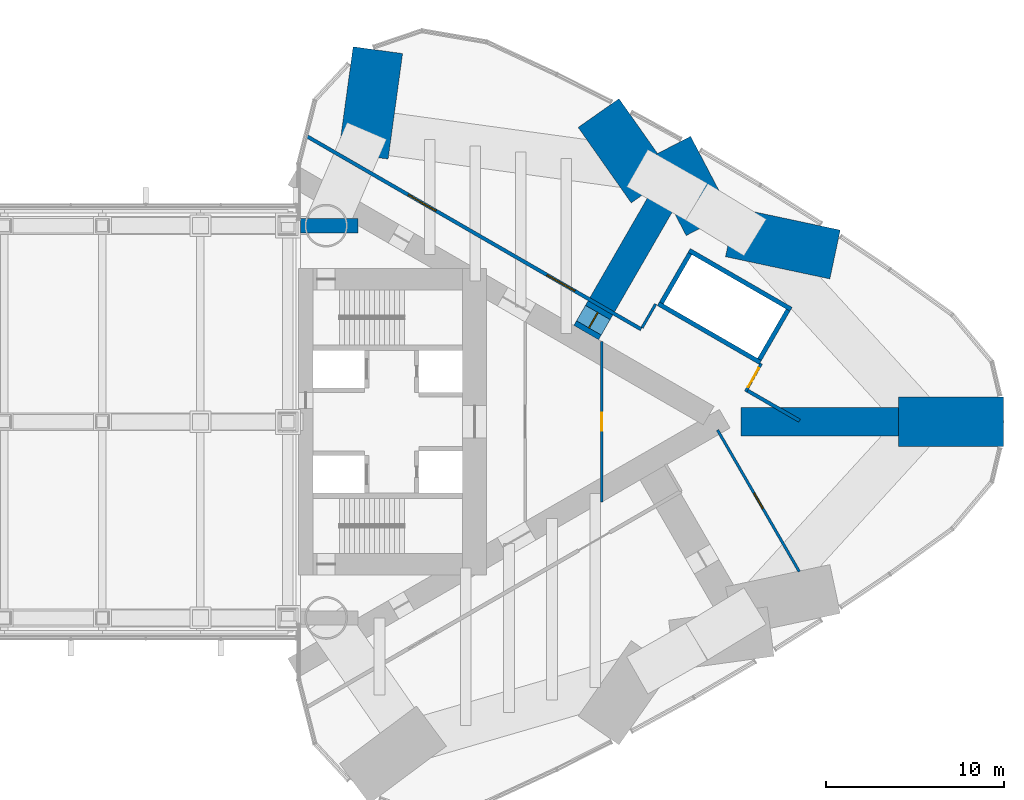
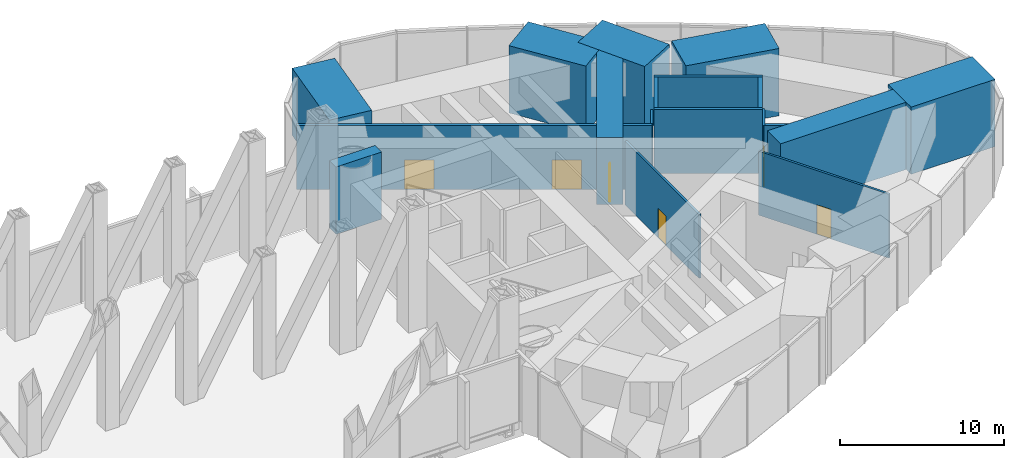
# One storey, part 19 of 21: 18 walls, 6 doors, 6 openings.
"""IFC4 building model written with IfcOpenShell, lengths in metres."""

from ifc_helpers import new_model, si_unit, direction, frame, frame_2d, origin, place, context, subcontext, project, spatial, rectangle, extrude, material, layer, layer_set, type_object, element, fill, save


model = new_model("IFC4")

# Units and contexts
model_context = context("Model", 3, precision=1e-05, world=origin(), true_north=direction((0.0, 1.0)))
body_context = subcontext(model_context, "Body", "Model", "MODEL_VIEW")
ifc_project = project(units=[si_unit("LENGTHUNIT", "METRE"), si_unit("AREAUNIT", "SQUARE_METRE"), si_unit("VOLUMEUNIT", "CUBIC_METRE"), si_unit("PLANEANGLEUNIT", "RADIAN"), si_unit("MASSUNIT", "GRAM", prefix="KILO")], contexts=[model_context])

# Site, building, storey
site_placement = place(None, origin())
site = spatial("IfcSite", under=ifc_project, at=site_placement, CompositionType="ELEMENT")
building_placement = place(site_placement, origin())
building = spatial("IfcBuilding", under=site, at=building_placement, Name="Lancet Gate Hotel", CompositionType="ELEMENT")
storey_placement = place(building_placement, frame((0.0, 0.0, 205.300048828125)))
storey = spatial("IfcBuildingStorey", under=building, at=storey_placement, Name="L55", CompositionType="ELEMENT", Elevation=205.300048828125)

# Wall, openings, doors
ifc_material_1 = material(Name="Gypsum board partition")
ifc_layer_1 = layer(ifc_material_1, 0.199951171875)
ifc_layer_set_1 = layer_set([ifc_layer_1], Name="Corridor wall 200")
wall_type_1 = type_object("IfcWallType", Name="Corridor wall 200", PredefinedType="PARTITIONING", material=ifc_layer_set_1)
wall_1_placement = place(storey_placement, frame((27.95947265625, 16.017333984375, 0.0), z_axis=(0.0, 0.0, 1.0), x_axis=(0.866027146794, -0.499996981007, 0.0)))
wall_1 = element("IfcWall", 1, at=wall_1_placement, inside=storey, type_object=wall_type_1, Name="T2 corridor wall 200 L55", PredefinedType="PARTITIONING", context=body_context, shape_type="SweptSolid", body=[
    extrude(rectangle(XDim=21.657470703125, YDim=0.199951171875, at=frame_2d((10.82861328125, 0.0))), origin(), (0.0, 0.0, 1.0), 4.75),
])
opening_1_placement = place(wall_1_placement, frame((15.570068359375, 0.0, 0.0)))
opening_1 = element("IfcOpeningElement", 2, at=opening_1_placement, cuts=wall_1, Name="Opening T2-L55-TA07", PredefinedType="OPENING", context=body_context, shape_type="SweptSolid", body=[
    extrude(rectangle(XDim=1.800048828125, YDim=2.199951171875, at=frame_2d((0.89990234375, 1.10009765625))), frame((0.0, 0.10986328125, 0.0), z_axis=(0.0, -1.0, 0.0), x_axis=(1.0, 0.0, 0.0)), (0.0, 0.0, 1.0), 0.219970703125),
])
opening_2_placement = place(wall_1_placement, frame((6.579345703125, 0.0, 0.0)))
opening_2 = element("IfcOpeningElement", 3, at=opening_2_placement, cuts=wall_1, Name="Opening T2-L55-TA08", PredefinedType="OPENING", context=body_context, shape_type="SweptSolid", body=[
    extrude(rectangle(XDim=1.800048828125, YDim=2.199951171875, at=frame_2d((0.89990234375, 1.10009765625))), frame((0.0, 0.10986328125, 0.0), z_axis=(0.0, -1.0, 0.0), x_axis=(1.0, 0.0, 0.0)), (0.0, 0.0, 1.0), 0.219970703125),
])
ifc_material_2 = material(Name="Timber door set", Category="wood")
door_type_1 = type_object("IfcDoorType", Name="Double door 1800", OperationType="DOUBLE_DOOR_SINGLE_SWING", PredefinedType="DOOR", material=ifc_material_2)
door_1_placement = place(opening_1_placement, origin())
door_1 = element("IfcDoor", 4, at=door_1_placement, inside=storey, type_object=door_type_1, Name="T2-L55-TA07", OperationType="DOUBLE_DOOR_SINGLE_SWING", OverallHeight=2.199951171875, OverallWidth=1.800048828125, PredefinedType="DOOR", context=body_context, shape_type="SweptSolid", body=[
    extrude(rectangle(XDim=1.800048828125, YDim=2.199951171875, at=frame_2d((0.89990234375, 1.10009765625))), frame((0.0, 0.02490234375, 0.0), z_axis=(0.0, -1.0, 0.0), x_axis=(1.0, 0.0, 0.0)), (0.0, 0.0, 1.0), 0.050048828125),
])
fill(opening_1, door_1)
door_2_placement = place(opening_2_placement, origin())
door_2 = element("IfcDoor", 5, at=door_2_placement, inside=storey, type_object=door_type_1, Name="T2-L55-TA08", OperationType="DOUBLE_DOOR_SINGLE_SWING", OverallHeight=2.199951171875, OverallWidth=1.800048828125, PredefinedType="DOOR", context=body_context, shape_type="SweptSolid", body=[
    extrude(rectangle(XDim=1.800048828125, YDim=2.199951171875, at=frame_2d((0.89990234375, 1.10009765625))), frame((0.0, 0.02490234375, 0.0), z_axis=(0.0, -1.0, 0.0), x_axis=(1.0, 0.0, 0.0)), (0.0, 0.0, 1.0), 0.050048828125),
])
fill(opening_2, door_2)

# Walls
wall_2_placement = place(storey_placement, frame((52.63916015625, 1.7685546875, 0.0), z_axis=(0.0, 0.0, 1.0), x_axis=(0.866027340901, -0.4999966448, 0.0)))
element("IfcWall", 6, at=wall_2_placement, inside=storey, type_object=wall_type_1, Name="T2 corridor wall 200 L55", PredefinedType="PARTITIONING", context=body_context, shape_type="SweptSolid", body=[
    extrude(rectangle(XDim=3.4169921875, YDim=0.199951171875, at=frame_2d((1.70849609375, 0.0))), origin(), (0.0, 0.0, 1.0), 4.75),
])
ifc_material_3 = material(Name="Gypsum board partition")
ifc_layer_2 = layer(ifc_material_3, 0.25)
ifc_layer_set_2 = layer_set([ifc_layer_2], Name="Lift shaft partition 250")
wall_type_2 = type_object("IfcWallType", Name="Lift shaft partition 250", PredefinedType="PARTITIONING", material=ifc_layer_set_2)
for number, where, z_axis, x_axis, name in (
    (7, (47.681396484375, 6.622314453125, 0.0), (0.0, 0.0, 1.0), (0.86603344179, -0.499986077507, 0.0), "T2 lift shaft wall HL L55"),
    (8, (49.406494140625, 9.61083984375, 0.0), (0.0, 0.0, 1.0), (0.86603344179, -0.499986077507, 0.0), "T2 lift shaft wall HL L55"),
):
    element("IfcWall", number, at=place(storey_placement, frame(where, z_axis=z_axis, x_axis=x_axis)), inside=storey, type_object=wall_type_2, Name=name, PredefinedType="PARTITIONING", context=body_context, shape_type="SweptSolid", body=[
        extrude(rectangle(XDim=6.600341796875, YDim=0.25, at=frame_2d((3.30029296875, 0.0))), origin(), (0.0, 0.0, 1.0), 4.75),
    ])
wall_3_placement = place(storey_placement, frame((47.852294921875, 6.66796875, 0.0), z_axis=(0.0, 0.0, 1.0), x_axis=(0.499929347863, 0.866066190972, 0.0)))
element("IfcWall", 9, at=wall_3_placement, inside=storey, type_object=wall_type_2, Name="T2 lift shaft wall HL L55", PredefinedType="PARTITIONING", context=body_context, shape_type="SweptSolid", body=[
    extrude(rectangle(XDim=3.20068359375, YDim=0.25, at=frame_2d((1.600341796875, 0.0))), origin(), (0.0, 0.0, 1.0), 4.75),
])
wall_4_placement = place(storey_placement, frame((53.351806640625, 3.492919921875, 0.0), z_axis=(0.0, 0.0, 1.0), x_axis=(0.499872130319, 0.866099216793, 0.0)))
element("IfcWall", 10, at=wall_4_placement, inside=storey, type_object=wall_type_2, Name="T2 lift shaft wall HL L55", PredefinedType="PARTITIONING", context=body_context, shape_type="SweptSolid", body=[
    extrude(rectangle(XDim=3.200439453125, YDim=0.25, at=frame_2d((1.60009765625, 0.0))), origin(), (0.0, 0.0, 1.0), 4.75),
])
ifc_material_4 = material(Name="Concrete C80/95", Category="concrete")
ifc_layer_3 = layer(ifc_material_4, 1.60009765625)
ifc_layer_set_3 = layer_set([ifc_layer_3], Name="Outrigger wall 1600")
wall_type_3 = type_object("IfcWallType", Name="Outrigger wall 1600", PredefinedType="SHEAR", material=ifc_layer_set_3)
wall_5_placement = place(storey_placement, frame((52.30224609375, 0.0, 0.0), z_axis=(0.0, 0.0, 1.0), x_axis=(1.0, 0.0, 0.0)))
element("IfcWall", 11, at=wall_5_placement, inside=storey, type_object=wall_type_3, Name="T2 outrigger wall CA L55", PredefinedType="SHEAR", context=body_context, shape_type="SweptSolid", body=[
    extrude(rectangle(XDim=10.2392578125, YDim=1.60009765625, at=frame_2d((5.11962890625, 0.0))), origin(), (0.0, 0.0, 1.0), 5.0),
])

# Wall, opening, door
wall_6_placement = place(storey_placement, frame((43.63427734375, 5.00439453125, 0.0), z_axis=(0.0, 0.0, 1.0), x_axis=(0.499995493849, 0.866028005396, 0.0)))
wall_6 = element("IfcWall", 12, at=wall_6_placement, inside=storey, type_object=wall_type_3, Name="T2 outrigger wall ON2 L55", PredefinedType="SHEAR", context=body_context, shape_type="SweptSolid", body=[
    extrude(rectangle(XDim=10.5263671875, YDim=1.60009765625, at=frame_2d((5.26318359375, 0.0))), origin(), (0.0, 0.0, 1.0), 5.0),
])
opening_3_placement = place(wall_6_placement, frame((0.300048828125, 0.0, 0.0)))
opening_3 = element("IfcOpeningElement", 13, at=opening_3_placement, cuts=wall_6, Name="Opening T2-L55-LNO", PredefinedType="OPENING", context=body_context, shape_type="SweptSolid", body=[
    extrude(rectangle(XDim=1.0, YDim=2.199951171875, at=frame_2d((0.5, 1.10009765625))), frame((0.0, 0.81005859375, 0.0), z_axis=(0.0, -1.0, 0.0), x_axis=(1.0, 0.0, 0.0)), (0.0, 0.0, 1.0), 1.6201171875),
])
ifc_material_5 = material(Name="Timber door set", Category="wood")
door_type_2 = type_object("IfcDoorType", Name="Corridor door 1000", OperationType="SINGLE_SWING_LEFT", PredefinedType="DOOR", material=ifc_material_5)
door_3_placement = place(opening_3_placement, origin())
door_3 = element("IfcDoor", 14, at=door_3_placement, inside=storey, type_object=door_type_2, Name="T2-L55-LNO", OperationType="SINGLE_SWING_LEFT", OverallHeight=2.199951171875, OverallWidth=1.0, PredefinedType="DOOR", context=body_context, shape_type="SweptSolid", body=[
    extrude(rectangle(XDim=1.0, YDim=2.199951171875, at=frame_2d((0.5, 1.10009765625))), frame((0.0, 0.02490234375, 0.0), z_axis=(0.0, -1.0, 0.0), x_axis=(1.0, 0.0, 0.0)), (0.0, 0.0, 1.0), 0.050048828125),
])
fill(opening_3, door_3)

# Wall
ifc_material_6 = material(Name="Concrete C70/85", Category="concrete")
ifc_layer_4 = layer(ifc_material_6, 0.800048828125)
ifc_layer_set_4 = layer_set([ifc_layer_4], Name="Outrigger wall 800, truss lines")
wall_type_4 = type_object("IfcWallType", Name="Outrigger wall 800, truss lines", PredefinedType="SHEAR", material=ifc_layer_set_4)
wall_7_placement = place(storey_placement, frame((27.6201171875, 11.0, 0.0), z_axis=(0.0, 0.0, 1.0), x_axis=(1.0, 0.0, 0.0)))
element("IfcWall", 15, at=wall_7_placement, inside=storey, type_object=wall_type_4, Name="T2 transfer wall TN L55", PredefinedType="SHEAR", context=body_context, shape_type="SweptSolid", body=[
    extrude(rectangle(XDim=3.20947265625, YDim=0.800048828125, at=frame_2d((1.604736328125, 0.0))), origin(), (0.0, 0.0, 1.0), 5.0),
])

# Wall, opening, door
ifc_material_7 = material(Name="Gypsum board partition")
ifc_layer_5 = layer(ifc_material_7, 0.14990234375)
ifc_layer_set_5 = layer_set([ifc_layer_5], Name="Party wall 150")
wall_type_5 = type_object("IfcWallType", Name="Party wall 150", PredefinedType="PARTITIONING", material=ifc_layer_set_5)
wall_8_placement = place(storey_placement, frame((55.58349609375, -8.4013671875, 0.0), z_axis=(0.0, 0.0, 1.0), x_axis=(-0.499997575924, 0.866026803321, 0.0)))
wall_8 = element("IfcWall", 16, at=wall_8_placement, inside=storey, type_object=wall_type_5, Name="T2 party wall 150 L55", PredefinedType="PARTITIONING", context=body_context, shape_type="SweptSolid", body=[
    extrude(rectangle(XDim=9.16650390625, YDim=0.14990234375, at=frame_2d((4.583251953125, 0.0))), origin(), (0.0, 0.0, 1.0), 4.75),
])
opening_4_placement = place(wall_8_placement, frame((4.083251953125, 0.0, 0.0)))
opening_4 = element("IfcOpeningElement", 17, at=opening_4_placement, cuts=wall_8, Name="Opening T2-L55-TA04", PredefinedType="OPENING", context=body_context, shape_type="SweptSolid", body=[
    extrude(rectangle(XDim=1.0, YDim=2.199951171875, at=frame_2d((0.5, 1.10009765625))), frame((0.0, 0.0849609375, 0.0), z_axis=(0.0, -1.0, 0.0), x_axis=(1.0, 0.0, 0.0)), (0.0, 0.0, 1.0), 0.169921875),
])
ifc_material_8 = material(Name="Timber door set", Category="wood")
door_type_3 = type_object("IfcDoorType", Name="Service door 1000", OperationType="SINGLE_SWING_LEFT", PredefinedType="DOOR", material=ifc_material_8)
door_4_placement = place(opening_4_placement, origin())
door_4 = element("IfcDoor", 18, at=door_4_placement, inside=storey, type_object=door_type_3, Name="T2-L55-TA04", OperationType="SINGLE_SWING_LEFT", OverallHeight=2.199951171875, OverallWidth=1.0, PredefinedType="DOOR", context=body_context, shape_type="SweptSolid", body=[
    extrude(rectangle(XDim=1.0, YDim=2.199951171875, at=frame_2d((0.5, 1.10009765625))), frame((0.0, 0.02490234375, 0.0), z_axis=(0.0, -1.0, 0.0), x_axis=(1.0, 0.0, 0.0)), (0.0, 0.0, 1.0), 0.050048828125),
])
fill(opening_4, door_4)

# Walls
ifc_material_9 = material(Name="Concrete C80/95", Category="concrete")
ifc_layer_6 = layer(ifc_material_9, 2.800048828125)
ifc_layer_set_6 = layer_set([ifc_layer_6], Name="Radial transfer wall 2800")
wall_type_6 = type_object("IfcWallType", Name="Radial transfer wall 2800", PredefinedType="SHEAR", material=ifc_layer_set_6)
wall_9_placement = place(storey_placement, frame((67.03955078125, 0.0, 0.0), z_axis=(0.0, 0.0, 1.0), x_axis=(-1.0, 0.0, 0.0)))
element("IfcWall", 19, at=wall_9_placement, inside=storey, type_object=wall_type_6, Name="T2 radial transfer wall CA L55", PredefinedType="SHEAR", context=body_context, shape_type="SweptSolid", body=[
    extrude(rectangle(XDim=5.898193359375, YDim=2.800048828125, at=frame_2d((2.94921875, 0.0))), origin(), (0.0, 0.0, 1.0), 5.0),
])
wall_10_placement = place(storey_placement, frame((31.949951171875, 20.8427734375, 0.0), z_axis=(0.0, 0.0, 1.0), x_axis=(-0.135869920729, -0.990726685136, 0.0)))
element("IfcWall", 20, at=wall_10_placement, inside=storey, type_object=wall_type_6, Name="T2 radial transfer wall CN L55", PredefinedType="SHEAR", context=body_context, shape_type="SweptSolid", body=[
    extrude(rectangle(XDim=5.974609375, YDim=2.800048828125, at=frame_2d((2.9873046875, 0.0))), origin(), (0.0, 0.0, 1.0), 5.0),
])
wall_11_placement = place(storey_placement, frame((57.59033203125, 9.38134765625, 0.0), z_axis=(0.0, 0.0, 1.0), x_axis=(-0.978147441256, 0.207912441101, 0.0)))
element("IfcWall", 21, at=wall_11_placement, inside=storey, type_object=wall_type_6, Name="T2 radial transfer wall ON1 L55", PredefinedType="SHEAR", context=body_context, shape_type="SweptSolid", body=[
    extrude(rectangle(XDim=5.98291015625, YDim=2.800048828125, at=frame_2d((2.991455078125, 0.0))), origin(), (0.0, 0.0, 1.0), 5.0),
])
wall_12_placement = place(storey_placement, frame((48.248046875, 15.361083984375, 0.0), z_axis=(0.0, 0.0, 1.0), x_axis=(0.463812018538, -0.885933638293, 0.0)))
element("IfcWall", 22, at=wall_12_placement, inside=storey, type_object=wall_type_6, Name="T2 radial transfer wall ON2 L55", PredefinedType="SHEAR", context=body_context, shape_type="SweptSolid", body=[
    extrude(rectangle(XDim=4.819580078125, YDim=2.800048828125, at=frame_2d((2.40966796875, 0.0))), origin(), (0.0, 0.0, 1.0), 5.0),
])
wall_13_placement = place(storey_placement, frame((44.328369140625, 17.313720703125, 0.0), z_axis=(0.0, 0.0, 1.0), x_axis=(0.575107689221, -0.818077713789, 0.0)))
element("IfcWall", 23, at=wall_13_placement, inside=storey, type_object=wall_type_6, Name="T2 radial transfer wall ON3 L55", PredefinedType="SHEAR", context=body_context, shape_type="SweptSolid", body=[
    extrude(rectangle(XDim=5.1748046875, YDim=2.800048828125, at=frame_2d((2.58740234375, 0.0))), origin(), (0.0, 0.0, 1.0), 5.0),
])

# Wall, opening, door
ifc_material_10 = material(Name="Gypsum board partition")
ifc_layer_7 = layer(ifc_material_10, 0.14990234375)
ifc_layer_set_7 = layer_set([ifc_layer_7], Name="Service room wall 150")
wall_type_7 = type_object("IfcWallType", Name="Service room wall 150", PredefinedType="PARTITIONING", material=ifc_layer_set_7)
wall_14_placement = place(storey_placement, frame((52.576171875, 1.689453125, 0.0), z_axis=(0.0, 0.0, 1.0), x_axis=(0.485482130951, 0.874246590229, 0.0)))
wall_14 = element("IfcWall", 24, at=wall_14_placement, inside=storey, type_object=wall_type_7, Name="T2 service room wall 150 L55", PredefinedType="PARTITIONING", context=body_context, shape_type="SweptSolid", body=[
    extrude(rectangle(XDim=1.804931640625, YDim=0.14990234375, at=frame_2d((0.90234375, 0.0))), origin(), (0.0, 0.0, 1.0), 4.75),
])
opening_5_placement = place(wall_14_placement, frame((0.284912109375, 0.0, 0.0)))
opening_5 = element("IfcOpeningElement", 25, at=opening_5_placement, cuts=wall_14, Name="Opening T2-L55-TA05", PredefinedType="OPENING", context=body_context, shape_type="SweptSolid", body=[
    extrude(rectangle(XDim=1.235107421875, YDim=2.199951171875, at=frame_2d((0.61767578125, 1.10009765625))), frame((0.0, 0.0849609375, 0.0), z_axis=(0.0, -1.0, 0.0), x_axis=(1.0, 0.0, 0.0)), (0.0, 0.0, 1.0), 0.169921875),
])
ifc_material_11 = material(Name="Timber door set", Category="wood")
door_type_4 = type_object("IfcDoorType", Name="Guest room entry door 950", OperationType="SINGLE_SWING_LEFT", PredefinedType="DOOR", material=ifc_material_11)
door_5_placement = place(opening_5_placement, origin())
door_5 = element("IfcDoor", 26, at=door_5_placement, inside=storey, type_object=door_type_4, Name="T2-L55-TA05", OperationType="SINGLE_SWING_LEFT", OverallHeight=2.199951171875, OverallWidth=1.235107421875, PredefinedType="DOOR", context=body_context, shape_type="SweptSolid", body=[
    extrude(rectangle(XDim=1.235107421875, YDim=2.199951171875, at=frame_2d((0.61767578125, 1.10009765625))), frame((0.0, 0.02490234375, 0.0), z_axis=(0.0, -1.0, 0.0), x_axis=(1.0, 0.0, 0.0)), (0.0, 0.0, 1.0), 0.050048828125),
])
fill(opening_5, door_5)

# Wall
wall_15_placement = place(storey_placement, frame((46.765380859375, 5.275146484375, 0.0), z_axis=(0.0, 0.0, 1.0), x_axis=(0.499915892944, 0.866073957571, 0.0)))
element("IfcWall", 27, at=wall_15_placement, inside=storey, type_object=wall_type_7, Name="T2 service room wall 150 L55", PredefinedType="PARTITIONING", context=body_context, shape_type="SweptSolid", body=[
    extrude(rectangle(XDim=1.529541015625, YDim=0.14990234375, at=frame_2d((0.7646484375, 0.0))), origin(), (0.0, 0.0, 1.0), 4.75),
])

# Wall, opening, door
wall_16_placement = place(storey_placement, frame((44.5, -4.504638671875, 0.0), z_axis=(0.0, 0.0, 1.0), x_axis=(0.0, 1.0, 0.0)))
wall_16 = element("IfcWall", 28, at=wall_16_placement, inside=storey, type_object=wall_type_7, Name="T2 service room wall 150 L55", PredefinedType="PARTITIONING", context=body_context, shape_type="SweptSolid", body=[
    extrude(rectangle(XDim=9.00927734375, YDim=0.14990234375, at=frame_2d((4.504638671875, 0.0))), origin(), (0.0, 0.0, 1.0), 4.75),
])
opening_6_placement = place(wall_16_placement, frame((4.004638671875, 0.0, 0.0)))
opening_6 = element("IfcOpeningElement", 29, at=opening_6_placement, cuts=wall_16, Name="Opening T2-L55-SV", PredefinedType="OPENING", context=body_context, shape_type="SweptSolid", body=[
    extrude(rectangle(XDim=1.0, YDim=2.199951171875, at=frame_2d((0.5, 1.10009765625))), frame((0.0, 0.0849609375, 0.0), z_axis=(0.0, -1.0, 0.0), x_axis=(1.0, 0.0, 0.0)), (0.0, 0.0, 1.0), 0.169921875),
])
door_6_placement = place(opening_6_placement, origin())
door_6 = element("IfcDoor", 30, at=door_6_placement, inside=storey, type_object=door_type_3, Name="T2-L55-SV", OperationType="SINGLE_SWING_LEFT", OverallHeight=2.199951171875, OverallWidth=1.0, PredefinedType="DOOR", context=body_context, shape_type="SweptSolid", body=[
    extrude(rectangle(XDim=1.0, YDim=2.199951171875, at=frame_2d((0.5, 1.10009765625))), frame((0.0, 0.02490234375, 0.0), z_axis=(0.0, -1.0, 0.0), x_axis=(1.0, 0.0, 0.0)), (0.0, 0.0, 1.0), 0.050048828125),
])
fill(opening_6, door_6)

save(model, "model.ifc")
